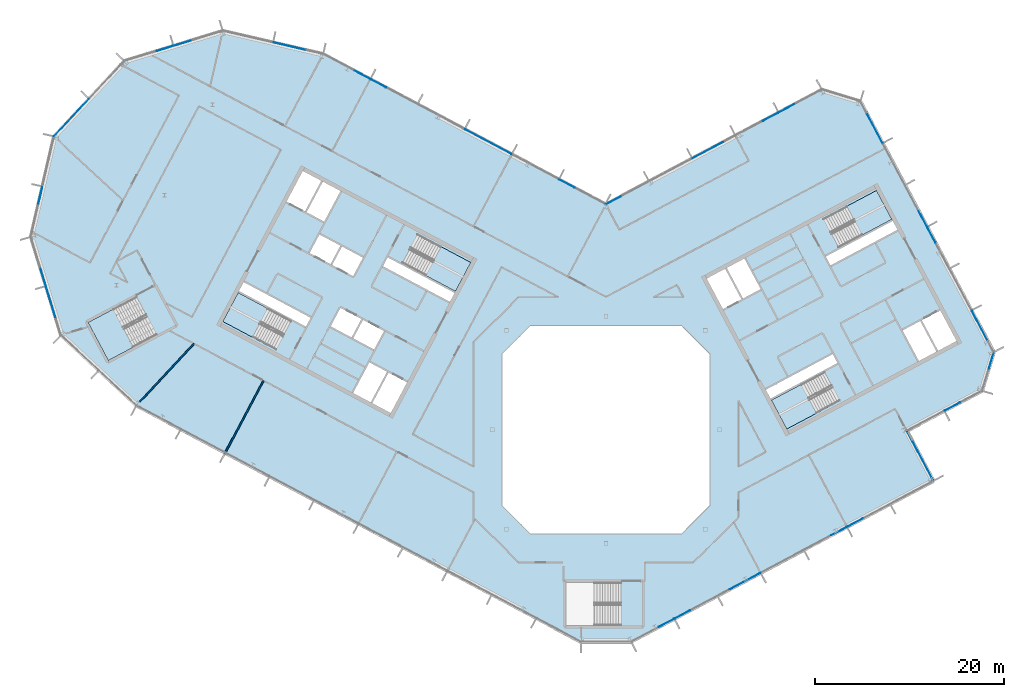
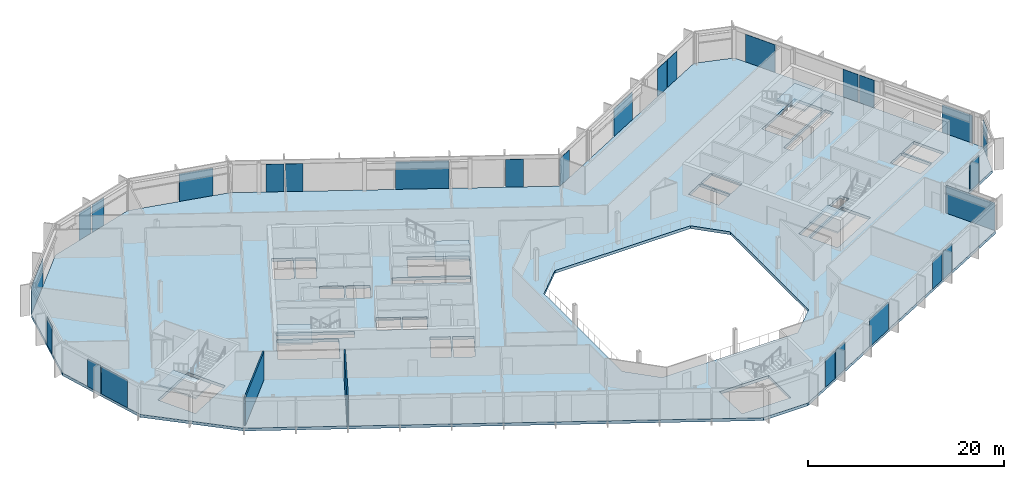
# One storey, part 11 of 25: 27 plates, 6 slabs, 2 walls, 17 elements without a shape of their own.
"""IFC4 building model written with IfcOpenShell, lengths in metres."""

from ifc_helpers import new_model, si_unit, direction, frame, frame_2d, origin, origin_2d, place, context, subcontext, project, spatial, polyline, rectangle, outline, extrude, material, layer, layer_set, type_object, element, aggregate, save


model = new_model("IFC4")

# Units and contexts
model_context = context("Model", 3, precision=1e-05, world=origin(), true_north=direction((0.0, 1.0)))
body_context = subcontext(model_context, "Body", "Model", "MODEL_VIEW")
ifc_project = project(units=[si_unit("LENGTHUNIT", "METRE"), si_unit("AREAUNIT", "SQUARE_METRE"), si_unit("VOLUMEUNIT", "CUBIC_METRE"), si_unit("PLANEANGLEUNIT", "RADIAN"), si_unit("MASSUNIT", "GRAM", prefix="KILO")], contexts=[model_context])

# Site, building, storey
site_placement = place(None, origin())
site = spatial("IfcSite", under=ifc_project, at=site_placement, CompositionType="ELEMENT")
building_placement = place(site_placement, origin())
building = spatial("IfcBuilding", under=site, at=building_placement, Name="Cormorant Relay Tower", CompositionType="ELEMENT")
storey_placement = place(building_placement, frame((0.0, 0.0, 265.800048828125)))
storey = spatial("IfcBuildingStorey", under=building, at=storey_placement, Name="L59", CompositionType="ELEMENT", Elevation=265.800048828125)

# Curtain wall, plates
ifc_material_1 = material(Name="Aluminium 6063-T6 anodised bronze", Category="aluminium")
ifc_layer_1 = layer(ifc_material_1, 0.199951171875)
ifc_layer_set_1 = layer_set([ifc_layer_1], Name="CW1 unitised bronze curtain wall with vertical fins")
curtain_wall_type = type_object("IfcCurtainWallType", Name="CW1 unitised bronze curtain wall with vertical fins", PredefinedType="NOTDEFINED", material=ifc_layer_set_1)
curtain_wall_1_placement = place(storey_placement, origin())
curtain_wall_1 = element("IfcCurtainWall", 1, at=curtain_wall_1_placement, inside=storey, type_object=curtain_wall_type, Name="CW1 curtain wall 2", PredefinedType="NOTDEFINED")
ifc_material_2 = material(Name="Tinted laminated glass", Category="glass")
ifc_layer_2 = layer(ifc_material_2, 0.0400390625)
ifc_layer_set_2 = layer_set([ifc_layer_2], Name="CW1 tinted vision panel 1800 module")
plate_type_1 = type_object("IfcPlateType", Name="CW1 tinted vision panel 1800 module", PredefinedType="CURTAIN_PANEL", material=ifc_layer_set_2)
plate_1_placement = place(storey_placement, frame((6.359130859375, -20.42529296875, 0.0), z_axis=(0.0, 0.0, 1.0), x_axis=(0.882947592859, 0.469471562786, 0.0)))
plate_1 = element("IfcPlate", 2, at=plate_1_placement, type_object=plate_type_1, Name="CW1 panel V01", PredefinedType="CURTAIN_PANEL", context=body_context, shape_type="SweptSolid", body=[
    extrude(rectangle(XDim=1.800048828125, YDim=0.0400390625, at=origin_2d()), origin(), (0.0, 0.0, 1.0), 3.449951171875),
])
plate_2_placement = place(storey_placement, frame((8.080810546875, -19.510009765625, 0.0), z_axis=(0.0, 0.0, 1.0), x_axis=(0.882947592859, 0.469471562786, 0.0)))
plate_2 = element("IfcPlate", 3, at=plate_2_placement, type_object=plate_type_1, Name="CW1 panel V02", PredefinedType="CURTAIN_PANEL", context=body_context, shape_type="SweptSolid", body=[
    extrude(rectangle(XDim=1.800048828125, YDim=0.0400390625, at=origin_2d()), origin(), (0.0, 0.0, 1.0), 3.449951171875),
])
plate_3_placement = place(storey_placement, frame((24.6064453125, -10.72314453125, 0.0), z_axis=(0.0, 0.0, 1.0), x_axis=(0.882947592859, 0.469471562786, 0.0)))
plate_3 = element("IfcPlate", 4, at=plate_3_placement, type_object=plate_type_1, Name="CW1 panel V06", PredefinedType="CURTAIN_PANEL", context=body_context, shape_type="SweptSolid", body=[
    extrude(rectangle(XDim=1.800048828125, YDim=0.0400390625, at=origin_2d()), origin(), (0.0, 0.0, 1.0), 3.449951171875),
])
plate_4_placement = place(storey_placement, frame((26.328125, -9.8076171875, 0.0), z_axis=(0.0, 0.0, 1.0), x_axis=(0.882947592859, 0.469471562786, 0.0)))
plate_4 = element("IfcPlate", 5, at=plate_4_placement, type_object=plate_type_1, Name="CW1 panel V07", PredefinedType="CURTAIN_PANEL", context=body_context, shape_type="SweptSolid", body=[
    extrude(rectangle(XDim=1.800048828125, YDim=0.0400390625, at=origin_2d()), origin(), (0.0, 0.0, 1.0), 3.449951171875),
])

# Curtain wall, plate
curtain_wall_2_placement = place(storey_placement, origin())
curtain_wall_2 = element("IfcCurtainWall", 6, at=curtain_wall_2_placement, inside=storey, type_object=curtain_wall_type, Name="CW1 curtain wall 4", PredefinedType="NOTDEFINED")
plate_5_placement = place(storey_placement, frame((36.608154296875, 2.45361328125, 0.0), z_axis=(0.0, 0.0, 1.0), x_axis=(0.882947592859, 0.469471562786, 0.0)))
plate_5 = element("IfcPlate", 7, at=plate_5_placement, type_object=plate_type_1, Name="CW1 panel V01", PredefinedType="CURTAIN_PANEL", context=body_context, shape_type="SweptSolid", body=[
    extrude(rectangle(XDim=1.800048828125, YDim=0.0400390625, at=origin_2d()), origin(), (0.0, 0.0, 1.0), 3.449951171875),
])
aggregate(curtain_wall_2, [plate_5])

curtain_wall_3_placement = place(storey_placement, origin())
curtain_wall_3 = element("IfcCurtainWall", 8, at=curtain_wall_3_placement, inside=storey, type_object=curtain_wall_type, Name="CW1 curtain wall 5", PredefinedType="NOTDEFINED")
plate_6_placement = place(storey_placement, frame((40.70751953125, 7.31689453125, 0.0), z_axis=(0.0, 0.0, 1.0), x_axis=(0.292371704723, 0.956304755963, 0.0)))
plate_6 = element("IfcPlate", 9, at=plate_6_placement, type_object=plate_type_1, Name="CW1 panel V01", PredefinedType="CURTAIN_PANEL", context=body_context, shape_type="SweptSolid", body=[
    extrude(rectangle(XDim=1.800048828125, YDim=0.0400390625, at=origin_2d()), origin(), (0.0, 0.0, 1.0), 3.449951171875),
])
aggregate(curtain_wall_3, [plate_6])

# Curtain wall, plates
curtain_wall_4_placement = place(storey_placement, origin())
curtain_wall_4 = element("IfcCurtainWall", 10, at=curtain_wall_4_placement, inside=storey, type_object=curtain_wall_type, Name="CW1 curtain wall 6", PredefinedType="NOTDEFINED")
plate_7_placement = place(storey_placement, frame((34.385009765625, 20.576171875, 0.0), z_axis=(0.0, 0.0, 1.0), x_axis=(-0.469471562786, 0.882947592859, 0.0)))
plate_7 = element("IfcPlate", 11, at=plate_7_placement, type_object=plate_type_1, Name="CW1 panel V03", PredefinedType="CURTAIN_PANEL", context=body_context, shape_type="SweptSolid", body=[
    extrude(rectangle(XDim=1.800048828125, YDim=0.0400390625, at=origin_2d()), origin(), (0.0, 0.0, 1.0), 3.449951171875),
])
plate_8_placement = place(storey_placement, frame((33.469482421875, 22.298095703125, 0.0), z_axis=(0.0, 0.0, 1.0), x_axis=(-0.469471562786, 0.882947592859, 0.0)))
plate_8 = element("IfcPlate", 12, at=plate_8_placement, type_object=plate_type_1, Name="CW1 panel V04", PredefinedType="CURTAIN_PANEL", context=body_context, shape_type="SweptSolid", body=[
    extrude(rectangle(XDim=1.800048828125, YDim=0.0400390625, at=origin_2d()), origin(), (0.0, 0.0, 1.0), 3.449951171875),
])

curtain_wall_5_placement = place(storey_placement, origin())
curtain_wall_5 = element("IfcCurtainWall", 13, at=curtain_wall_5_placement, inside=storey, type_object=curtain_wall_type, Name="CW1 curtain wall 8", PredefinedType="NOTDEFINED")
plate_9_placement = place(storey_placement, frame((19.099609375, 33.962158203125, 0.0), z_axis=(0.0, 0.0, 1.0), x_axis=(-0.882947592859, -0.469471562786, 0.0)))
plate_9 = element("IfcPlate", 14, at=plate_9_placement, type_object=plate_type_1, Name="CW1 panel V01", PredefinedType="CURTAIN_PANEL", context=body_context, shape_type="SweptSolid", body=[
    extrude(rectangle(XDim=1.800048828125, YDim=0.0400390625, at=origin_2d()), origin(), (0.0, 0.0, 1.0), 3.449951171875),
])
plate_10_placement = place(storey_placement, frame((17.3779296875, 33.046630859375, 0.0), z_axis=(0.0, 0.0, 1.0), x_axis=(-0.882947592859, -0.469471562786, 0.0)))
plate_10 = element("IfcPlate", 15, at=plate_10_placement, type_object=plate_type_1, Name="CW1 panel V02", PredefinedType="CURTAIN_PANEL", context=body_context, shape_type="SweptSolid", body=[
    extrude(rectangle(XDim=1.800048828125, YDim=0.0400390625, at=origin_2d()), origin(), (0.0, 0.0, 1.0), 3.449951171875),
])
plate_11_placement = place(storey_placement, frame((0.785400390625, 24.22412109375, 0.0), z_axis=(0.0, 0.0, 1.0), x_axis=(-0.882947592859, -0.469471562786, 0.0)))
plate_11 = element("IfcPlate", 16, at=plate_11_placement, type_object=plate_type_1, Name="CW1 panel V06", PredefinedType="CURTAIN_PANEL", context=body_context, shape_type="SweptSolid", body=[
    extrude(rectangle(XDim=1.800048828125, YDim=0.0400390625, at=origin_2d()), origin(), (0.0, 0.0, 1.0), 3.449951171875),
])

curtain_wall_6_placement = place(storey_placement, origin())
curtain_wall_6 = element("IfcCurtainWall", 17, at=curtain_wall_6_placement, inside=storey, type_object=curtain_wall_type, Name="CW1 curtain wall 9", PredefinedType="NOTDEFINED")
plate_12_placement = place(storey_placement, frame((-4.108642578125, 25.9912109375, 0.0), z_axis=(0.0, 0.0, 1.0), x_axis=(-0.882947592859, 0.469471562786, 0.0)))
plate_12 = element("IfcPlate", 18, at=plate_12_placement, type_object=plate_type_1, Name="CW1 panel V01", PredefinedType="CURTAIN_PANEL", context=body_context, shape_type="SweptSolid", body=[
    extrude(rectangle(XDim=1.800048828125, YDim=0.0400390625, at=origin_2d()), origin(), (0.0, 0.0, 1.0), 3.449951171875),
])
plate_13_placement = place(storey_placement, frame((-24.0244140625, 36.580810546875, 0.0), z_axis=(0.0, 0.0, 1.0), x_axis=(-0.882947592859, 0.469471562786, 0.0)))
plate_13 = element("IfcPlate", 19, at=plate_13_placement, type_object=plate_type_1, Name="CW1 panel V05", PredefinedType="CURTAIN_PANEL", context=body_context, shape_type="SweptSolid", body=[
    extrude(rectangle(XDim=1.800048828125, YDim=0.0400390625, at=origin_2d()), origin(), (0.0, 0.0, 1.0), 3.449951171875),
])
plate_14_placement = place(storey_placement, frame((-25.746337890625, 37.49609375, 0.0), z_axis=(0.0, 0.0, 1.0), x_axis=(-0.882947592859, 0.469471562786, 0.0)))
plate_14 = element("IfcPlate", 20, at=plate_14_placement, type_object=plate_type_1, Name="CW1 panel V06", PredefinedType="CURTAIN_PANEL", context=body_context, shape_type="SweptSolid", body=[
    extrude(rectangle(XDim=1.800048828125, YDim=0.0400390625, at=origin_2d()), origin(), (0.0, 0.0, 1.0), 3.449951171875),
])

curtain_wall_7_placement = place(storey_placement, origin())
curtain_wall_7 = element("IfcCurtainWall", 21, at=curtain_wall_7_placement, inside=storey, type_object=curtain_wall_type, Name="CW1 curtain wall 11", PredefinedType="NOTDEFINED")
plate_15_placement = place(storey_placement, frame((-44.73681640625, 40.82861328125, 0.0), z_axis=(0.0, 0.0, 1.0), x_axis=(-0.956304755963, -0.292371704723, 0.0)))
plate_15 = element("IfcPlate", 22, at=plate_15_placement, type_object=plate_type_1, Name="CW1 panel V01", PredefinedType="CURTAIN_PANEL", context=body_context, shape_type="SweptSolid", body=[
    extrude(rectangle(XDim=1.800048828125, YDim=0.0400390625, at=origin_2d()), origin(), (0.0, 0.0, 1.0), 3.449951171875),
])
plate_16_placement = place(storey_placement, frame((-46.6015625, 40.25830078125, 0.0), z_axis=(0.0, 0.0, 1.0), x_axis=(-0.956304755963, -0.292371704723, 0.0)))
plate_16 = element("IfcPlate", 23, at=plate_16_placement, type_object=plate_type_1, Name="CW1 panel V02", PredefinedType="CURTAIN_PANEL", context=body_context, shape_type="SweptSolid", body=[
    extrude(rectangle(XDim=1.800048828125, YDim=0.0400390625, at=origin_2d()), origin(), (0.0, 0.0, 1.0), 3.449951171875),
])
aggregate(curtain_wall_7, [plate_15, plate_16])

# Curtain wall, plate
curtain_wall_8_placement = place(storey_placement, origin())
curtain_wall_8 = element("IfcCurtainWall", 24, at=curtain_wall_8_placement, inside=storey, type_object=curtain_wall_type, Name="CW1 curtain wall 13", PredefinedType="NOTDEFINED")
plate_17_placement = place(storey_placement, frame((-59.736083984375, 24.74365234375, 0.0), z_axis=(0.0, 0.0, 1.0), x_axis=(-0.224951054344, -0.974370064785, 0.0)))
plate_17 = element("IfcPlate", 25, at=plate_17_placement, type_object=plate_type_1, Name="CW1 panel V01", PredefinedType="CURTAIN_PANEL", context=body_context, shape_type="SweptSolid", body=[
    extrude(rectangle(XDim=1.800048828125, YDim=0.0400390625, at=origin_2d()), origin(), (0.0, 0.0, 1.0), 3.449951171875),
])
aggregate(curtain_wall_8, [plate_17])

curtain_wall_9_placement = place(storey_placement, origin())
curtain_wall_9 = element("IfcCurtainWall", 26, at=curtain_wall_9_placement, inside=storey, type_object=curtain_wall_type, Name="CW1 curtain wall 14", PredefinedType="NOTDEFINED")
plate_18_placement = place(storey_placement, frame((-59.434814453125, 16.122314453125, 0.0), z_axis=(0.0, 0.0, 1.0), x_axis=(0.292371704723, -0.956304755963, 0.0)))
plate_18 = element("IfcPlate", 27, at=plate_18_placement, type_object=plate_type_1, Name="CW1 panel V01", PredefinedType="CURTAIN_PANEL", context=body_context, shape_type="SweptSolid", body=[
    extrude(rectangle(XDim=1.800048828125, YDim=0.0400390625, at=origin_2d()), origin(), (0.0, 0.0, 1.0), 3.449951171875),
])

# Plate
ifc_material_3 = material(Name="Tinted laminated glass", Category="glass")
ifc_layer_3 = layer(ifc_material_3, 0.0400390625)
ifc_layer_set_3 = layer_set([ifc_layer_3], Name="CW1 tinted vision panel 3600 module")
plate_type_2 = type_object("IfcPlateType", Name="CW1 tinted vision panel 3600 module", PredefinedType="CURTAIN_PANEL", material=ifc_layer_set_3)
plate_19_placement = place(storey_placement, frame((14.68798828125, -15.996826171875, 0.0), z_axis=(0.0, 0.0, 1.0), x_axis=(0.882947592859, 0.469471562786, 0.0)))
plate_19 = element("IfcPlate", 28, at=plate_19_placement, type_object=plate_type_2, Name="CW1 panel V04", PredefinedType="CURTAIN_PANEL", context=body_context, shape_type="SweptSolid", body=[
    extrude(rectangle(XDim=3.60009765625, YDim=0.0400390625, at=origin_2d()), origin(), (0.0, 0.0, 1.0), 3.449951171875),
])

aggregate(curtain_wall_1, [plate_1, plate_2, plate_19, plate_3, plate_4])

plate_20_placement = place(storey_placement, frame((39.502197265625, 10.9521484375, 0.0), z_axis=(0.0, 0.0, 1.0), x_axis=(-0.469471562786, 0.882947592859, 0.0)))
plate_20 = element("IfcPlate", 29, at=plate_20_placement, type_object=plate_type_2, Name="CW1 panel V01", PredefinedType="CURTAIN_PANEL", context=body_context, shape_type="SweptSolid", body=[
    extrude(rectangle(XDim=3.60009765625, YDim=0.0400390625, at=origin_2d()), origin(), (0.0, 0.0, 1.0), 3.449951171875),
])

plate_21_placement = place(storey_placement, frame((28.352294921875, 31.922119140625, 0.0), z_axis=(0.0, 0.0, 1.0), x_axis=(-0.469471562786, 0.882947592859, 0.0)))
plate_21 = element("IfcPlate", 30, at=plate_21_placement, type_object=plate_type_2, Name="CW1 panel V06", PredefinedType="CURTAIN_PANEL", context=body_context, shape_type="SweptSolid", body=[
    extrude(rectangle(XDim=3.60009765625, YDim=0.0400390625, at=origin_2d()), origin(), (0.0, 0.0, 1.0), 3.449951171875),
])

aggregate(curtain_wall_4, [plate_20, plate_7, plate_8, plate_21])

plate_22_placement = place(storey_placement, frame((10.770263671875, 29.533203125, 0.0), z_axis=(0.0, 0.0, 1.0), x_axis=(-0.882947592859, -0.469471562786, 0.0)))
plate_22 = element("IfcPlate", 31, at=plate_22_placement, type_object=plate_type_2, Name="CW1 panel V04", PredefinedType="CURTAIN_PANEL", context=body_context, shape_type="SweptSolid", body=[
    extrude(rectangle(XDim=3.60009765625, YDim=0.0400390625, at=origin_2d()), origin(), (0.0, 0.0, 1.0), 3.449951171875),
])

aggregate(curtain_wall_5, [plate_9, plate_10, plate_22, plate_11])

# Curtain wall, plate
curtain_wall_10_placement = place(storey_placement, origin())
curtain_wall_10 = element("IfcCurtainWall", 32, at=curtain_wall_10_placement, inside=storey, type_object=curtain_wall_type, Name="CW1 curtain wall 10", PredefinedType="NOTDEFINED")
plate_23_placement = place(storey_placement, frame((-33.338134765625, 40.488525390625, 0.0), z_axis=(0.0, 0.0, 1.0), x_axis=(-0.974370064785, 0.224951054344, 0.0)))
plate_23 = element("IfcPlate", 33, at=plate_23_placement, type_object=plate_type_2, Name="CW1 panel V01", PredefinedType="CURTAIN_PANEL", context=body_context, shape_type="SweptSolid", body=[
    extrude(rectangle(XDim=3.60009765625, YDim=0.0400390625, at=origin_2d()), origin(), (0.0, 0.0, 1.0), 3.449951171875),
])
aggregate(curtain_wall_10, [plate_23])

# Plate
plate_24_placement = place(storey_placement, frame((-58.601806640625, 13.396728515625, 0.0), z_axis=(0.0, 0.0, 1.0), x_axis=(0.292371704723, -0.956304755963, 0.0)))
plate_24 = element("IfcPlate", 34, at=plate_24_placement, type_object=plate_type_2, Name="CW1 panel V02", PredefinedType="CURTAIN_PANEL", context=body_context, shape_type="SweptSolid", body=[
    extrude(rectangle(XDim=3.60009765625, YDim=0.0400390625, at=origin_2d()), origin(), (0.0, 0.0, 1.0), 3.449951171875),
])

aggregate(curtain_wall_9, [plate_18, plate_24])

# Curtain wall, plate
curtain_wall_11_placement = place(storey_placement, origin())
curtain_wall_11 = element("IfcCurtainWall", 35, at=curtain_wall_11_placement, inside=storey, type_object=curtain_wall_type, Name="CW1 curtain wall 3", PredefinedType="NOTDEFINED")
ifc_material_4 = material(Name="Tinted laminated glass", Category="glass")
ifc_layer_4 = layer(ifc_material_4, 0.0400390625)
ifc_layer_set_4 = layer_set([ifc_layer_4], Name="CW1 tinted vision panel 5400 module")
plate_type_3 = type_object("IfcPlateType", Name="CW1 tinted vision panel 5400 module", PredefinedType="CURTAIN_PANEL", material=ifc_layer_set_4)
plate_25_placement = place(storey_placement, frame((33.173095703125, -2.705322265625, 0.0), z_axis=(0.0, 0.0, 1.0), x_axis=(-0.469471562786, 0.882947592859, 0.0)))
plate_25 = element("IfcPlate", 36, at=plate_25_placement, type_object=plate_type_3, Name="CW1 panel V00", PredefinedType="CURTAIN_PANEL", context=body_context, shape_type="SweptSolid", body=[
    extrude(rectangle(XDim=5.925048828125, YDim=0.0400390625, at=origin_2d()), origin(), (0.0, 0.0, 1.0), 3.449951171875),
])
aggregate(curtain_wall_11, [plate_25])

# Plate
plate_26_placement = place(storey_placement, frame((-12.43798828125, 30.419921875, 0.0), z_axis=(0.0, 0.0, 1.0), x_axis=(-0.882947592859, 0.469471562786, 0.0)))
plate_26 = element("IfcPlate", 37, at=plate_26_placement, type_object=plate_type_3, Name="CW1 panel V03", PredefinedType="CURTAIN_PANEL", context=body_context, shape_type="SweptSolid", body=[
    extrude(rectangle(XDim=5.489013671875, YDim=0.0400390625, at=origin_2d()), origin(), (0.0, 0.0, 1.0), 3.449951171875),
])

aggregate(curtain_wall_6, [plate_12, plate_26, plate_13, plate_14])

# Curtain wall, plate
curtain_wall_12_placement = place(storey_placement, origin())
curtain_wall_12 = element("IfcCurtainWall", 38, at=curtain_wall_12_placement, inside=storey, type_object=curtain_wall_type, Name="CW1 curtain wall 12", PredefinedType="NOTDEFINED")
plate_27_placement = place(storey_placement, frame((-56.461181640625, 32.958984375, 0.0), z_axis=(0.0, 0.0, 1.0), x_axis=(-0.681998360062, -0.731353701619, 0.0)))
plate_27 = element("IfcPlate", 39, at=plate_27_placement, type_object=plate_type_3, Name="CW1 panel V01", PredefinedType="CURTAIN_PANEL", context=body_context, shape_type="SweptSolid", body=[
    extrude(rectangle(XDim=5.360107421875, YDim=0.0400390625, at=origin_2d()), origin(), (0.0, 0.0, 1.0), 3.449951171875),
])
aggregate(curtain_wall_12, [plate_27])

# Stair, slab
ifc_material_5 = material(Name="Concrete 40 MPa", Category="concrete")
stair_type_1 = type_object("IfcStairType", Name="Exit stair 1500", PredefinedType="HALF_TURN_STAIR", material=ifc_material_5)
stair_1_placement = place(storey_placement, origin())
stair_1 = element("IfcStair", 40, at=stair_1_placement, inside=storey, type_object=stair_type_1, Name="L59 Stair", PredefinedType="HALF_TURN_STAIR")
ifc_material_6 = material(Name="Concrete 40 MPa", Category="concrete")
ifc_layer_5 = layer(ifc_material_6, 0.199951171875)
ifc_layer_set_5 = layer_set([ifc_layer_5], Name="Exit stair landing 200")
slab_type_1 = type_object("IfcSlabType", Name="Exit stair landing 200", PredefinedType="LANDING", material=ifc_layer_set_5)
slab_1_placement = place(storey_placement, frame((0.0, 0.0, 1.75)))
slab_1 = element("IfcSlab", 41, at=slab_1_placement, type_object=slab_type_1, Name="A1 landing 1", PredefinedType="LANDING", context=body_context, shape_type="SweptSolid", body=[
    extrude(outline(polyline([(-19.029541015625, 16.29052734375), (-15.89501953125, 14.6240234375), (-14.275390625, 17.670166015625), (-17.40966796875, 19.3369140625), (-19.029541015625, 16.29052734375)])), origin(), (0.0, 0.0, 1.0), 0.199951171875),
])
aggregate(stair_1, [slab_1])

stair_2_placement = place(storey_placement, origin())
stair_2 = element("IfcStair", 42, at=stair_2_placement, inside=storey, type_object=stair_type_1, Name="L59 Stair", PredefinedType="HALF_TURN_STAIR")
slab_2_placement = place(storey_placement, frame((0.0, 0.0, 1.75)))
slab_2 = element("IfcSlab", 43, at=slab_2_placement, type_object=slab_type_1, Name="A2 landing 1", PredefinedType="LANDING", context=body_context, shape_type="SweptSolid", body=[
    extrude(outline(polyline([(-35.71337890625, 12.816650390625), (-38.84765625, 14.483154296875), (-40.467529296875, 11.43701171875), (-37.3330078125, 9.7705078125), (-35.71337890625, 12.816650390625)])), origin(), (0.0, 0.0, 1.0), 0.199951171875),
])
aggregate(stair_2, [slab_2])

stair_3_placement = place(storey_placement, origin())
stair_3 = element("IfcStair", 44, at=stair_3_placement, inside=storey, type_object=stair_type_1, Name="L59 Stair", PredefinedType="HALF_TURN_STAIR")
slab_3_placement = place(storey_placement, frame((0.0, 0.0, 1.75)))
slab_3 = element("IfcSlab", 45, at=slab_3_placement, type_object=slab_type_1, Name="B1 landing 1", PredefinedType="LANDING", context=body_context, shape_type="SweptSolid", body=[
    extrude(outline(polyline([(20.614990234375, 4.78857421875), (17.48046875, 3.1220703125), (19.10009765625, 0.075927734375), (22.234619140625, 1.742431640625), (20.614990234375, 4.78857421875)])), origin(), (0.0, 0.0, 1.0), 0.199951171875),
])
aggregate(stair_3, [slab_3])

stair_4_placement = place(storey_placement, origin())
stair_4 = element("IfcStair", 46, at=stair_4_placement, inside=storey, type_object=stair_type_1, Name="L59 Stair", PredefinedType="HALF_TURN_STAIR")
slab_4_placement = place(storey_placement, frame((0.0, 0.0, 1.75)))
slab_4 = element("IfcSlab", 47, at=slab_4_placement, type_object=slab_type_1, Name="B2 landing 1", PredefinedType="LANDING", context=body_context, shape_type="SweptSolid", body=[
    extrude(outline(polyline([(27.064208984375, 20.562744140625), (30.19873046875, 22.2294921875), (28.5791015625, 25.275634765625), (25.444580078125, 23.60888671875), (27.064208984375, 20.562744140625)])), origin(), (0.0, 0.0, 1.0), 0.199951171875),
])
aggregate(stair_4, [slab_4])

ifc_material_7 = material(Name="Concrete 40 MPa", Category="concrete")
stair_type_2 = type_object("IfcStairType", Name="Remote exit stair 2200", PredefinedType="HALF_TURN_STAIR", material=ifc_material_7)
stair_5_placement = place(storey_placement, origin())
stair_5 = element("IfcStair", 48, at=stair_5_placement, inside=storey, type_object=stair_type_2, Name="L59 Stair", PredefinedType="HALF_TURN_STAIR")
slab_5_placement = place(storey_placement, frame((0.0, 0.0, 1.75)))
slab_5 = element("IfcSlab", 49, at=slab_5_placement, type_object=slab_type_1, Name="RP1 landing 1", PredefinedType="LANDING", context=body_context, shape_type="SweptSolid", body=[
    extrude(outline(polyline([(-52.051025390625, 12.7392578125), (-54.699951171875, 11.330810546875), (-52.563720703125, 7.3134765625), (-49.914794921875, 8.721923828125), (-52.051025390625, 12.7392578125)])), origin(), (0.0, 0.0, 1.0), 0.199951171875),
])
aggregate(stair_5, [slab_5])

# Slab
ifc_material_8 = material(Name="Concrete 40 MPa", Category="concrete")
ifc_layer_6 = layer(ifc_material_8, 0.360107421875)
ifc_layer_set_6 = layer_set([ifc_layer_6], Name="Flat plate 360")
slab_type_2 = type_object("IfcSlabType", Name="Flat plate 360", PredefinedType="FLOOR", material=ifc_layer_set_6)
slab_6_placement = place(storey_placement, frame((0.0, 0.0, -0.360107421875)))
element("IfcSlab", 50, at=slab_6_placement, inside=storey, type_object=slab_type_2, Name="Floor slab L59", PredefinedType="FLOOR", context=body_context, shape_type="SweptSolid", body=[
    extrude(outline(polyline([(-60.7197265625, 20.393310546875), (-58.2744140625, 30.985107421875), (-50.86083984375, 38.935302734375), (-40.465576171875, 42.11328125), (-29.873779296875, 39.668212890625), (0.0, 23.783935546875), (22.810302734375, 35.912353515625), (26.867431640625, 34.671875), (40.95166015625, 8.18359375), (39.711181640625, 4.126220703125), (31.7646484375, -0.09912109375), (34.581298828125, -5.396728515625), (2.648681640625, -22.37548828125), (-2.648681640625, -22.37548828125), (-49.591552734375, 2.584228515625), (-57.541748046875, 9.997802734375), (-60.7197265625, 20.393310546875)]), holes=[polyline([(11.0, -8.0), (11.0, 8.0), (8.0, 11.0), (-8.0, 11.0), (-11.0, 8.0), (-11.0, -8.0), (-8.0, -11.0), (8.0, -11.0), (11.0, -8.0)]), polyline([(-22.95458984375, 6.03271484375), (-24.668212890625, 2.81005859375), (-22.725830078125, 1.777099609375), (-21.01220703125, 5.0), (-23.04296875, 6.07958984375), (-22.95458984375, 6.03271484375)]), polyline([(-24.985595703125, 7.112548828125), (-26.69921875, 3.889892578125), (-24.844970703125, 2.90380859375), (-23.13134765625, 6.126708984375), (-23.04296875, 6.07958984375), (-24.985595703125, 7.112548828125)]), polyline([(-26.688720703125, 9.660400390625), (-24.481201171875, 8.48681640625), (-23.448486328125, 10.42919921875), (-25.656005859375, 11.602783203125), (-26.688720703125, 9.660400390625)]), polyline([(-49.57861328125, 14.0537109375), (-54.69970703125, 11.330810546875), (-52.563720703125, 7.3134765625), (-47.442626953125, 10.036376953125), (-49.57861328125, 14.0537109375)]), polyline([(-29.07275390625, 10.927978515625), (-26.865234375, 9.75439453125), (-25.83251953125, 11.69677734375), (-28.039794921875, 12.870361328125), (-29.07275390625, 10.927978515625)]), polyline([(-38.847900390625, 14.483154296875), (-40.46728515625, 11.43701171875), (-34.860595703125, 8.455810546875), (-33.240966796875, 11.502197265625), (-38.847900390625, 14.483154296875)]), polyline([(-38.260986328125, 15.5869140625), (-38.75390625, 14.659912109375), (-31.690185546875, 10.904052734375), (-31.197265625, 11.8310546875), (-38.260986328125, 15.5869140625)]), polyline([(-25.670166015625, 18.17919921875), (-27.87744140625, 19.35302734375), (-28.910400390625, 17.410400390625), (-26.702880859375, 16.23681640625), (-25.670166015625, 18.17919921875)]), polyline([(-30.261474609375, 20.62060546875), (-31.294189453125, 18.677978515625), (-29.0869140625, 17.50439453125), (-28.053955078125, 19.447021484375), (-30.261474609375, 20.62060546875)]), polyline([(-31.611572265625, 22.980712890625), (-29.75732421875, 21.99462890625), (-28.043701171875, 25.217529296875), (-29.89794921875, 26.203369140625), (-31.611572265625, 22.980712890625)]), polyline([(-32.01708984375, 27.330078125), (-33.73046875, 24.107421875), (-31.7880859375, 23.074462890625), (-30.074462890625, 26.29736328125), (-32.01708984375, 27.330078125)]), polyline([(-4.199951171875, -16.125), (-4.199951171875, -20.675048828125), (1.60009765625, -20.675048828125), (1.60009765625, -16.125), (-4.199951171875, -16.125)]), polyline([(17.48046875, 3.1220703125), (19.10009765625, 0.07568359375), (24.706787109375, 3.056884765625), (23.087158203125, 6.10302734375), (17.48046875, 3.1220703125)]), polyline([(17.386474609375, 3.298583984375), (24.4501953125, 7.054443359375), (23.957275390625, 7.9814453125), (16.8935546875, 4.2255859375), (17.386474609375, 3.298583984375)]), polyline([(33.197021484375, 11.478515625), (31.3427734375, 10.49267578125), (33.056396484375, 7.27001953125), (34.910400390625, 8.255859375), (33.197021484375, 11.478515625)]), polyline([(33.37353515625, 11.572509765625), (35.087158203125, 8.349609375), (37.029541015625, 9.382568359375), (35.31591796875, 12.605224609375), (33.37353515625, 11.572509765625)]), polyline([(14.3056640625, 13.779052734375), (12.592041015625, 17.001708984375), (10.649658203125, 15.968994140625), (12.36328125, 12.74609375), (14.39404296875, 13.825927734375), (14.3056640625, 13.779052734375)]), polyline([(16.33642578125, 14.85888671875), (14.622802734375, 18.08154296875), (12.768798828125, 17.095703125), (14.482421875, 13.872802734375), (14.39404296875, 13.825927734375), (16.33642578125, 14.85888671875)]), polyline([(-16.481689453125, 13.520263671875), (-15.989013671875, 14.447509765625), (-23.052490234375, 18.203125), (-23.54541015625, 17.276123046875), (-16.481689453125, 13.520263671875)]), polyline([(-15.89501953125, 14.6240234375), (-14.275390625, 17.670166015625), (-19.882080078125, 20.6513671875), (-21.501708984375, 17.605224609375), (-15.89501953125, 14.6240234375)]), polyline([(30.78564453125, 21.125732421875), (30.29248046875, 22.052978515625), (23.22900390625, 18.297119140625), (23.721923828125, 17.3701171875), (30.78564453125, 21.125732421875)]), polyline([(24.592041015625, 19.248291015625), (30.19873046875, 22.2294921875), (28.5791015625, 25.275634765625), (22.972412109375, 22.29443359375), (24.592041015625, 19.248291015625)])]), origin(), (0.0, 0.0, 1.0), 0.360107421875),
])

# Walls
ifc_material_9 = material(Name="Gypsum board partition")
ifc_layer_7 = layer(ifc_material_9, 0.14990234375)
ifc_layer_set_7 = layer_set([ifc_layer_7], Name="Tenant partition 150")
wall_type = type_object("IfcWallType", Name="Tenant partition 150", PredefinedType="PARTITIONING", material=ifc_layer_set_7)
wall_1_placement = place(storey_placement, frame((-43.51904296875, 9.095947265625, 0.0), z_axis=(0.0, 0.0, 1.0), x_axis=(-0.682006444307, -0.731346162856, 0.0)))
element("IfcWall", 51, at=wall_1_placement, inside=storey, type_object=wall_type, Name="wall/L59/part/006", PredefinedType="PARTITIONING", context=body_context, shape_type="SweptSolid", body=[
    extrude(rectangle(XDim=8.4267578125, YDim=0.14990234375, at=frame_2d((4.21337890625, 0.0))), origin(), (0.0, 0.0, 1.0), 3.5400390625),
])
wall_2_placement = place(storey_placement, frame((-36.166015625, 5.18603515625, 0.0), z_axis=(0.0, 0.0, 1.0), x_axis=(-0.469445946219, -0.882961212952, 0.0)))
element("IfcWall", 52, at=wall_2_placement, inside=storey, type_object=wall_type, Name="wall/L59/part/007", PredefinedType="PARTITIONING", context=body_context, shape_type="SweptSolid", body=[
    extrude(rectangle(XDim=8.800048828125, YDim=0.14990234375, at=frame_2d((4.39990234375, 0.0))), origin(), (0.0, 0.0, 1.0), 3.5400390625),
])

save(model, "model.ifc")
